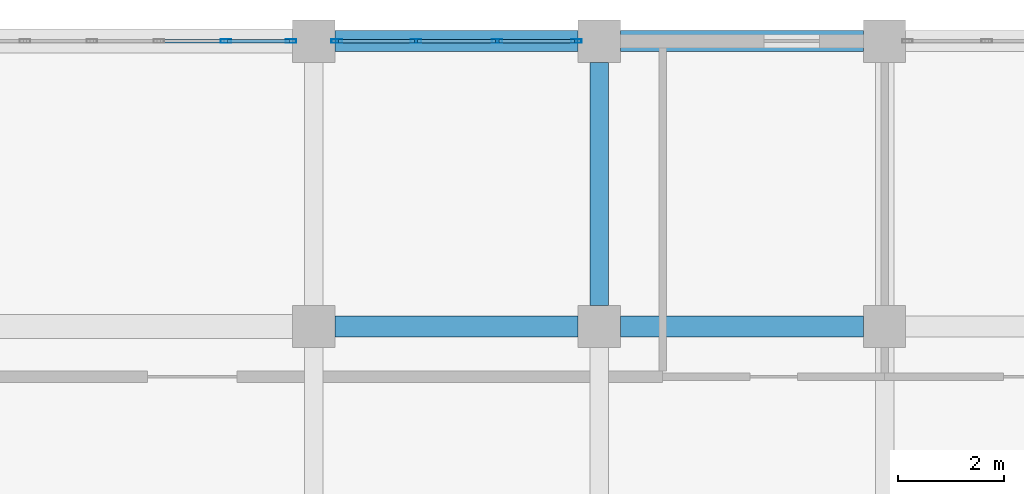
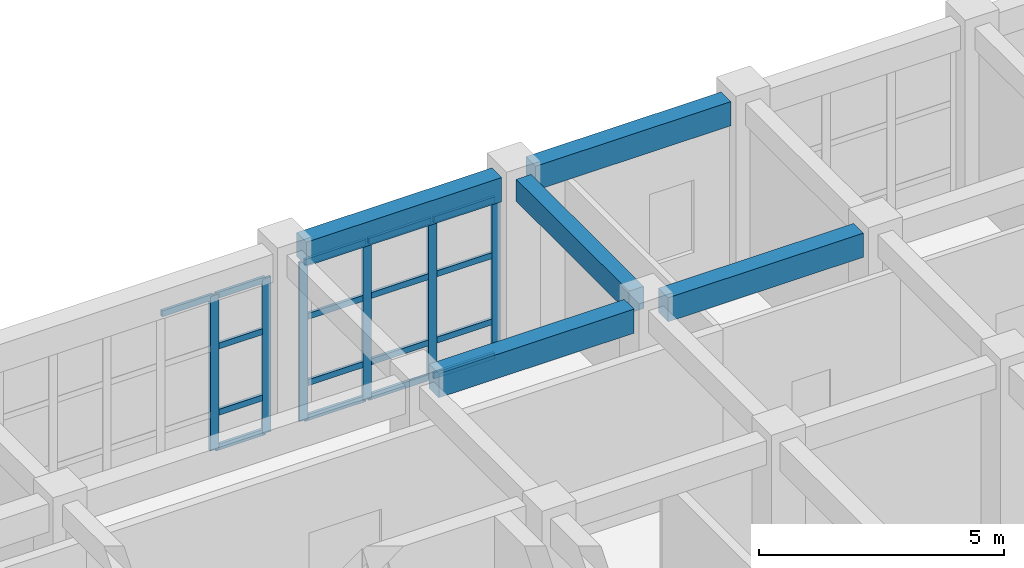
# One storey, part 50 of 76: 23 members, 5 beams, 2 elements without a shape of their own.
"""IFC4 building model written with IfcOpenShell, lengths in metres."""

from ifc_helpers import new_model, si_unit, direction, frame, origin, origin_2d, place, context, subcontext, project, spatial, rectangle, hollow_rectangle, extrude, material, layer, layer_set, material_profile, profile_set, type_object, element, aggregate, save


model = new_model("IFC4")

# Units and contexts
model_context = context("Model", 3, precision=1e-05, world=origin(), true_north=direction((0.0, 1.0)))
body_context = subcontext(model_context, "Body", "Model", "MODEL_VIEW")
ifc_project = project(units=[si_unit("LENGTHUNIT", "METRE"), si_unit("AREAUNIT", "SQUARE_METRE"), si_unit("VOLUMEUNIT", "CUBIC_METRE"), si_unit("PLANEANGLEUNIT", "RADIAN"), si_unit("MASSUNIT", "GRAM", prefix="KILO")], contexts=[model_context])

# Site, building, storey
site_placement = place(None, origin())
site = spatial("IfcSite", under=ifc_project, at=site_placement, CompositionType="ELEMENT")
building_placement = place(site_placement, origin())
building = spatial("IfcBuilding", under=site, at=building_placement, Name="Krzemoval Escarpment Law Courts", CompositionType="ELEMENT")
storey_placement = place(building_placement, frame((0.0, 0.0, 20.39990234375)))
storey = spatial("IfcBuildingStorey", under=building, at=storey_placement, Name="L04", CompositionType="ELEMENT", Elevation=20.39990234375)

# Beams
ifc_material_1 = material(Name="Concrete C40/50", Category="concrete")
ifc_material_profile_1 = material_profile(ifc_material_1, rectangle(XDim=0.35009765625, YDim=0.550048828125, at=origin_2d()), Name="RCB 350x550")
ifc_profile_set_1 = profile_set([ifc_material_profile_1], Name="Concrete C40/50")
beam_type_1 = type_object("IfcBeamType", Name="BM-RC-350x550", PredefinedType="BEAM", material=ifc_profile_set_1)
beam_1_placement = place(storey_placement, frame((156.60009765625, 113.800048828125, 4.275146484375), z_axis=(0.0, 1.0, 0.0), x_axis=(-1.0, 0.0, 0.0)))
element("IfcBeam", 1, at=beam_1_placement, inside=storey, type_object=beam_type_1, Name="Beam FG-L04-2531", PredefinedType="BEAM", context=body_context, shape_type="SweptSolid", body=[
    extrude(rectangle(XDim=0.35009765625, YDim=0.550048828125, at=origin_2d()), origin(), (0.0, 0.0, 1.0), 4.599853515625),
])
ifc_material_2 = material(Name="Concrete C40/50", Category="concrete")
ifc_material_profile_2 = material_profile(ifc_material_2, rectangle(XDim=0.39990234375, YDim=0.60009765625, at=origin_2d()), Name="RCB 400x600")
ifc_profile_set_2 = profile_set([ifc_material_profile_2], Name="Concrete C40/50")
beam_type_2 = type_object("IfcBeamType", Name="BM-RC-400x600", PredefinedType="BEAM", material=ifc_profile_set_2)
beam_2_placement = place(storey_placement, frame((151.60009765625, 113.39990234375, 4.25), z_axis=(1.0, 0.0, 0.0), x_axis=(0.0, 1.0, 0.0)))
element("IfcBeam", 2, at=beam_2_placement, inside=storey, type_object=beam_type_2, Name="Beam FG-L04-2471", PredefinedType="BEAM", context=body_context, shape_type="SweptSolid", body=[
    extrude(rectangle(XDim=0.39990234375, YDim=0.60009765625, at=origin_2d()), origin(), (0.0, 0.0, 1.0), 4.599853515625),
])
beam_3_placement = place(storey_placement, frame((157.0, 113.39990234375, 4.25), z_axis=(1.0, 0.0, 0.0), x_axis=(0.0, 1.0, 0.0)))
element("IfcBeam", 3, at=beam_3_placement, inside=storey, type_object=beam_type_2, Name="Beam FG-L04-2472", PredefinedType="BEAM", context=body_context, shape_type="SweptSolid", body=[
    extrude(rectangle(XDim=0.39990234375, YDim=0.60009765625, at=origin_2d()), origin(), (0.0, 0.0, 1.0), 4.60009765625),
])
beam_4_placement = place(storey_placement, frame((151.60009765625, 118.800048828125, 4.25), z_axis=(1.0, 0.0, 0.0), x_axis=(0.0, 1.0, 0.0)))
element("IfcBeam", 4, at=beam_4_placement, inside=storey, type_object=beam_type_2, Name="Beam FG-L04-2478", PredefinedType="BEAM", context=body_context, shape_type="SweptSolid", body=[
    extrude(rectangle(XDim=0.39990234375, YDim=0.60009765625, at=origin_2d()), origin(), (0.0, 0.0, 1.0), 4.599853515625),
])
beam_5_placement = place(storey_placement, frame((157.0, 118.800048828125, 4.25), z_axis=(1.0, 0.0, 0.0), x_axis=(0.0, 1.0, 0.0)))
element("IfcBeam", 5, at=beam_5_placement, inside=storey, type_object=beam_type_2, Name="Beam FG-L04-2479", PredefinedType="BEAM", context=body_context, shape_type="SweptSolid", body=[
    extrude(rectangle(XDim=0.39990234375, YDim=0.60009765625, at=origin_2d()), origin(), (0.0, 0.0, 1.0), 4.60009765625),
])

# Curtain wall, members
ifc_material_3 = material(Name="Aluminium 6063-T6", Category="aluminium")
ifc_layer = layer(ifc_material_3, 0.219970703125)
ifc_layer_set = layer_set([ifc_layer], Name="Aluminium 6063-T6")
curtain_wall_type = type_object("IfcCurtainWallType", Name="CW-CHMB-4200", PredefinedType="USERDEFINED", material=ifc_layer_set)
curtain_wall_1_placement = place(storey_placement, origin())
curtain_wall_1 = element("IfcCurtainWall", 6, at=curtain_wall_1_placement, inside=storey, type_object=curtain_wall_type, Name="Unitised Curtain Wall FCW-L04-127", ObjectType="UNITISED_CURTAIN_WALL", PredefinedType="USERDEFINED")
ifc_material_4 = material(Name="Aluminium 6063-T6", Category="aluminium")
ifc_material_profile_3 = material_profile(ifc_material_4, hollow_rectangle(XDim=0.06494140625, YDim=0.199951171875, WallThickness=0.00439453125, at=origin_2d()), Name="ALU M65x200")
ifc_profile_set_3 = profile_set([ifc_material_profile_3], Name="Aluminium 6063-T6")
member_type_1 = type_object("IfcMemberType", Name="CWM-65x200", PredefinedType="MULLION", material=ifc_profile_set_3)
member_1_placement = place(storey_placement, frame((149.533447265625, 118.800048828125, 0.0), z_axis=(0.0, 0.0, 1.0), x_axis=(0.0, 1.0, 0.0)))
member_1 = element("IfcMember", 7, at=member_1_placement, type_object=member_type_1, Name="FCW-L04-127 mullion 6", PredefinedType="MULLION", context=body_context, shape_type="SweptSolid", body=[
    extrude(hollow_rectangle(XDim=0.06494140625, YDim=0.199951171875, WallThickness=0.00439453125, at=origin_2d()), origin(), (0.0, 0.0, 1.0), 3.85009765625),
])
member_2_placement = place(storey_placement, frame((150.767578125, 118.800048828125, 0.0), z_axis=(0.0, 0.0, 1.0), x_axis=(0.0, 1.0, 0.0)))
member_2 = element("IfcMember", 8, at=member_2_placement, type_object=member_type_1, Name="FCW-L04-127 mullion 7", PredefinedType="MULLION", context=body_context, shape_type="SweptSolid", body=[
    extrude(hollow_rectangle(XDim=0.06494140625, YDim=0.199951171875, WallThickness=0.00439453125, at=origin_2d()), origin(), (0.0, 0.0, 1.0), 3.85009765625),
])

curtain_wall_2_placement = place(storey_placement, origin())
curtain_wall_2 = element("IfcCurtainWall", 9, at=curtain_wall_2_placement, inside=storey, type_object=curtain_wall_type, Name="Unitised Curtain Wall FCW-L04-128", ObjectType="UNITISED_CURTAIN_WALL", PredefinedType="USERDEFINED")
member_3_placement = place(storey_placement, frame((151.632568359375, 118.800048828125, 0.0), z_axis=(0.0, 0.0, 1.0), x_axis=(0.0, 1.0, 0.0)))
member_3 = element("IfcMember", 10, at=member_3_placement, type_object=member_type_1, Name="FCW-L04-128 mullion 1", PredefinedType="MULLION", context=body_context, shape_type="SweptSolid", body=[
    extrude(hollow_rectangle(XDim=0.06494140625, YDim=0.199951171875, WallThickness=0.00439453125, at=origin_2d()), origin(), (0.0, 0.0, 1.0), 3.9501953125),
])
member_4_placement = place(storey_placement, frame((153.13330078125, 118.800048828125, 0.0), z_axis=(0.0, 0.0, 1.0), x_axis=(0.0, 1.0, 0.0)))
member_4 = element("IfcMember", 11, at=member_4_placement, type_object=member_type_1, Name="FCW-L04-128 mullion 2", PredefinedType="MULLION", context=body_context, shape_type="SweptSolid", body=[
    extrude(hollow_rectangle(XDim=0.06494140625, YDim=0.199951171875, WallThickness=0.00439453125, at=origin_2d()), origin(), (0.0, 0.0, 1.0), 3.9501953125),
])
member_5_placement = place(storey_placement, frame((154.666748046875, 118.800048828125, 0.0), z_axis=(0.0, 0.0, 1.0), x_axis=(0.0, 1.0, 0.0)))
member_5 = element("IfcMember", 12, at=member_5_placement, type_object=member_type_1, Name="FCW-L04-128 mullion 3", PredefinedType="MULLION", context=body_context, shape_type="SweptSolid", body=[
    extrude(hollow_rectangle(XDim=0.06494140625, YDim=0.199951171875, WallThickness=0.00439453125, at=origin_2d()), origin(), (0.0, 0.0, 1.0), 3.9501953125),
])
member_6_placement = place(storey_placement, frame((156.16748046875, 118.800048828125, 0.0), z_axis=(0.0, 0.0, 1.0), x_axis=(0.0, 1.0, 0.0)))
member_6 = element("IfcMember", 13, at=member_6_placement, type_object=member_type_1, Name="FCW-L04-128 mullion 4", PredefinedType="MULLION", context=body_context, shape_type="SweptSolid", body=[
    extrude(hollow_rectangle(XDim=0.06494140625, YDim=0.199951171875, WallThickness=0.00439453125, at=origin_2d()), origin(), (0.0, 0.0, 1.0), 3.9501953125),
])

# Member
ifc_material_5 = material(Name="Aluminium 6063-T6", Category="aluminium")
ifc_material_profile_4 = material_profile(ifc_material_5, hollow_rectangle(XDim=0.06494140625, YDim=0.14990234375, WallThickness=0.00439453125, at=origin_2d()), Name="ALU T65x150")
ifc_profile_set_4 = profile_set([ifc_material_profile_4], Name="Aluminium 6063-T6")
member_type_2 = type_object("IfcMemberType", Name="CWT-65x150", PredefinedType="USERDEFINED", material=ifc_profile_set_4)
member_7_placement = place(storey_placement, frame((148.299072265625, 118.800048828125, 3.817626953125), z_axis=(1.0, 0.0, 0.0), x_axis=(0.0, 1.0, 0.0)))
member_7 = element("IfcMember", 14, at=member_7_placement, type_object=member_type_2, Name="FCW-L04-127 transom 5.4", ObjectType="TRANSOM", PredefinedType="USERDEFINED", context=body_context, shape_type="SweptSolid", body=[
    extrude(hollow_rectangle(XDim=0.06494140625, YDim=0.14990234375, WallThickness=0.00439453125, at=origin_2d()), origin(), (0.0, 0.0, 1.0), 1.20166015625),
])

member_8_placement = place(storey_placement, frame((149.56591796875, 118.800048828125, 0.03271484375), z_axis=(1.0, 0.0, 0.0), x_axis=(0.0, 1.0, 0.0)))
member_8 = element("IfcMember", 15, at=member_8_placement, type_object=member_type_2, Name="FCW-L04-127 transom 6.1", ObjectType="TRANSOM", PredefinedType="USERDEFINED", context=body_context, shape_type="SweptSolid", body=[
    extrude(hollow_rectangle(XDim=0.06494140625, YDim=0.14990234375, WallThickness=0.00439453125, at=origin_2d()), origin(), (0.0, 0.0, 1.0), 1.169189453125),
])

member_9_placement = place(storey_placement, frame((149.56591796875, 118.800048828125, 0.900146484375), z_axis=(1.0, 0.0, 0.0), x_axis=(0.0, 1.0, 0.0)))
member_9 = element("IfcMember", 16, at=member_9_placement, type_object=member_type_2, Name="FCW-L04-127 transom 6.2", ObjectType="TRANSOM", PredefinedType="USERDEFINED", context=body_context, shape_type="SweptSolid", body=[
    extrude(hollow_rectangle(XDim=0.06494140625, YDim=0.14990234375, WallThickness=0.00439453125, at=origin_2d()), origin(), (0.0, 0.0, 1.0), 1.169189453125),
])

member_10_placement = place(storey_placement, frame((149.56591796875, 118.800048828125, 2.550048828125), z_axis=(1.0, 0.0, 0.0), x_axis=(0.0, 1.0, 0.0)))
member_10 = element("IfcMember", 17, at=member_10_placement, type_object=member_type_2, Name="FCW-L04-127 transom 6.3", ObjectType="TRANSOM", PredefinedType="USERDEFINED", context=body_context, shape_type="SweptSolid", body=[
    extrude(hollow_rectangle(XDim=0.06494140625, YDim=0.14990234375, WallThickness=0.00439453125, at=origin_2d()), origin(), (0.0, 0.0, 1.0), 1.169189453125),
])

member_11_placement = place(storey_placement, frame((149.56591796875, 118.800048828125, 3.817626953125), z_axis=(1.0, 0.0, 0.0), x_axis=(0.0, 1.0, 0.0)))
member_11 = element("IfcMember", 18, at=member_11_placement, type_object=member_type_2, Name="FCW-L04-127 transom 6.4", ObjectType="TRANSOM", PredefinedType="USERDEFINED", context=body_context, shape_type="SweptSolid", body=[
    extrude(hollow_rectangle(XDim=0.06494140625, YDim=0.14990234375, WallThickness=0.00439453125, at=origin_2d()), origin(), (0.0, 0.0, 1.0), 1.169189453125),
])

aggregate(curtain_wall_1, [member_1, member_2, member_7, member_8, member_9, member_10, member_11])

member_12_placement = place(storey_placement, frame((151.6650390625, 118.800048828125, 0.03271484375), z_axis=(1.0, 0.0, 0.0), x_axis=(0.0, 1.0, 0.0)))
member_12 = element("IfcMember", 19, at=member_12_placement, type_object=member_type_2, Name="FCW-L04-128 transom 1.1", ObjectType="TRANSOM", PredefinedType="USERDEFINED", context=body_context, shape_type="SweptSolid", body=[
    extrude(hollow_rectangle(XDim=0.06494140625, YDim=0.14990234375, WallThickness=0.00439453125, at=origin_2d()), origin(), (0.0, 0.0, 1.0), 1.435791015625),
])

member_13_placement = place(storey_placement, frame((151.6650390625, 118.800048828125, 0.900146484375), z_axis=(1.0, 0.0, 0.0), x_axis=(0.0, 1.0, 0.0)))
member_13 = element("IfcMember", 20, at=member_13_placement, type_object=member_type_2, Name="FCW-L04-128 transom 1.2", ObjectType="TRANSOM", PredefinedType="USERDEFINED", context=body_context, shape_type="SweptSolid", body=[
    extrude(hollow_rectangle(XDim=0.06494140625, YDim=0.14990234375, WallThickness=0.00439453125, at=origin_2d()), origin(), (0.0, 0.0, 1.0), 1.435791015625),
])

member_14_placement = place(storey_placement, frame((151.6650390625, 118.800048828125, 2.550048828125), z_axis=(1.0, 0.0, 0.0), x_axis=(0.0, 1.0, 0.0)))
member_14 = element("IfcMember", 21, at=member_14_placement, type_object=member_type_2, Name="FCW-L04-128 transom 1.3", ObjectType="TRANSOM", PredefinedType="USERDEFINED", context=body_context, shape_type="SweptSolid", body=[
    extrude(hollow_rectangle(XDim=0.06494140625, YDim=0.14990234375, WallThickness=0.00439453125, at=origin_2d()), origin(), (0.0, 0.0, 1.0), 1.435791015625),
])

member_15_placement = place(storey_placement, frame((151.6650390625, 118.800048828125, 3.91748046875), z_axis=(1.0, 0.0, 0.0), x_axis=(0.0, 1.0, 0.0)))
member_15 = element("IfcMember", 22, at=member_15_placement, type_object=member_type_2, Name="FCW-L04-128 transom 1.4", ObjectType="TRANSOM", PredefinedType="USERDEFINED", context=body_context, shape_type="SweptSolid", body=[
    extrude(hollow_rectangle(XDim=0.06494140625, YDim=0.14990234375, WallThickness=0.00439453125, at=origin_2d()), origin(), (0.0, 0.0, 1.0), 1.435791015625),
])

member_16_placement = place(storey_placement, frame((153.165771484375, 118.800048828125, 0.03271484375), z_axis=(1.0, 0.0, 0.0), x_axis=(0.0, 1.0, 0.0)))
member_16 = element("IfcMember", 23, at=member_16_placement, type_object=member_type_2, Name="FCW-L04-128 transom 2.1", ObjectType="TRANSOM", PredefinedType="USERDEFINED", context=body_context, shape_type="SweptSolid", body=[
    extrude(hollow_rectangle(XDim=0.06494140625, YDim=0.14990234375, WallThickness=0.00439453125, at=origin_2d()), origin(), (0.0, 0.0, 1.0), 1.468505859375),
])

member_17_placement = place(storey_placement, frame((153.165771484375, 118.800048828125, 0.900146484375), z_axis=(1.0, 0.0, 0.0), x_axis=(0.0, 1.0, 0.0)))
member_17 = element("IfcMember", 24, at=member_17_placement, type_object=member_type_2, Name="FCW-L04-128 transom 2.2", ObjectType="TRANSOM", PredefinedType="USERDEFINED", context=body_context, shape_type="SweptSolid", body=[
    extrude(hollow_rectangle(XDim=0.06494140625, YDim=0.14990234375, WallThickness=0.00439453125, at=origin_2d()), origin(), (0.0, 0.0, 1.0), 1.468505859375),
])

member_18_placement = place(storey_placement, frame((153.165771484375, 118.800048828125, 2.550048828125), z_axis=(1.0, 0.0, 0.0), x_axis=(0.0, 1.0, 0.0)))
member_18 = element("IfcMember", 25, at=member_18_placement, type_object=member_type_2, Name="FCW-L04-128 transom 2.3", ObjectType="TRANSOM", PredefinedType="USERDEFINED", context=body_context, shape_type="SweptSolid", body=[
    extrude(hollow_rectangle(XDim=0.06494140625, YDim=0.14990234375, WallThickness=0.00439453125, at=origin_2d()), origin(), (0.0, 0.0, 1.0), 1.468505859375),
])

member_19_placement = place(storey_placement, frame((153.165771484375, 118.800048828125, 3.91748046875), z_axis=(1.0, 0.0, 0.0), x_axis=(0.0, 1.0, 0.0)))
member_19 = element("IfcMember", 26, at=member_19_placement, type_object=member_type_2, Name="FCW-L04-128 transom 2.4", ObjectType="TRANSOM", PredefinedType="USERDEFINED", context=body_context, shape_type="SweptSolid", body=[
    extrude(hollow_rectangle(XDim=0.06494140625, YDim=0.14990234375, WallThickness=0.00439453125, at=origin_2d()), origin(), (0.0, 0.0, 1.0), 1.468505859375),
])

member_20_placement = place(storey_placement, frame((154.69921875, 118.800048828125, 0.03271484375), z_axis=(1.0, 0.0, 0.0), x_axis=(0.0, 1.0, 0.0)))
member_20 = element("IfcMember", 27, at=member_20_placement, type_object=member_type_2, Name="FCW-L04-128 transom 3.1", ObjectType="TRANSOM", PredefinedType="USERDEFINED", context=body_context, shape_type="SweptSolid", body=[
    extrude(hollow_rectangle(XDim=0.06494140625, YDim=0.14990234375, WallThickness=0.00439453125, at=origin_2d()), origin(), (0.0, 0.0, 1.0), 1.435791015625),
])

member_21_placement = place(storey_placement, frame((154.69921875, 118.800048828125, 0.900146484375), z_axis=(1.0, 0.0, 0.0), x_axis=(0.0, 1.0, 0.0)))
member_21 = element("IfcMember", 28, at=member_21_placement, type_object=member_type_2, Name="FCW-L04-128 transom 3.2", ObjectType="TRANSOM", PredefinedType="USERDEFINED", context=body_context, shape_type="SweptSolid", body=[
    extrude(hollow_rectangle(XDim=0.06494140625, YDim=0.14990234375, WallThickness=0.00439453125, at=origin_2d()), origin(), (0.0, 0.0, 1.0), 1.435791015625),
])

member_22_placement = place(storey_placement, frame((154.69921875, 118.800048828125, 2.550048828125), z_axis=(1.0, 0.0, 0.0), x_axis=(0.0, 1.0, 0.0)))
member_22 = element("IfcMember", 29, at=member_22_placement, type_object=member_type_2, Name="FCW-L04-128 transom 3.3", ObjectType="TRANSOM", PredefinedType="USERDEFINED", context=body_context, shape_type="SweptSolid", body=[
    extrude(hollow_rectangle(XDim=0.06494140625, YDim=0.14990234375, WallThickness=0.00439453125, at=origin_2d()), origin(), (0.0, 0.0, 1.0), 1.435791015625),
])

member_23_placement = place(storey_placement, frame((154.69921875, 118.800048828125, 3.91748046875), z_axis=(1.0, 0.0, 0.0), x_axis=(0.0, 1.0, 0.0)))
member_23 = element("IfcMember", 30, at=member_23_placement, type_object=member_type_2, Name="FCW-L04-128 transom 3.4", ObjectType="TRANSOM", PredefinedType="USERDEFINED", context=body_context, shape_type="SweptSolid", body=[
    extrude(hollow_rectangle(XDim=0.06494140625, YDim=0.14990234375, WallThickness=0.00439453125, at=origin_2d()), origin(), (0.0, 0.0, 1.0), 1.435791015625),
])

aggregate(curtain_wall_2, [member_3, member_4, member_5, member_6, member_12, member_13, member_14, member_15, member_16, member_17, member_18, member_19, member_20, member_21, member_22, member_23])

save(model, "model.ifc")
